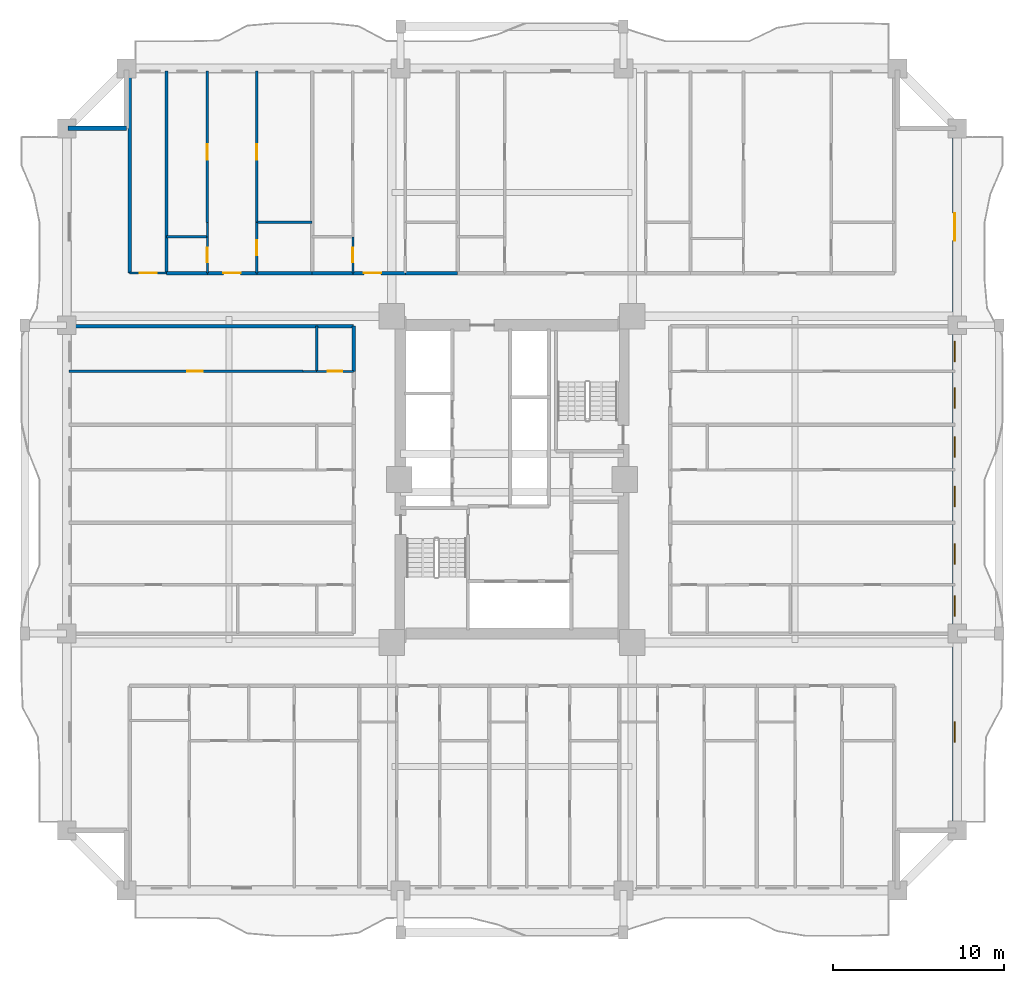
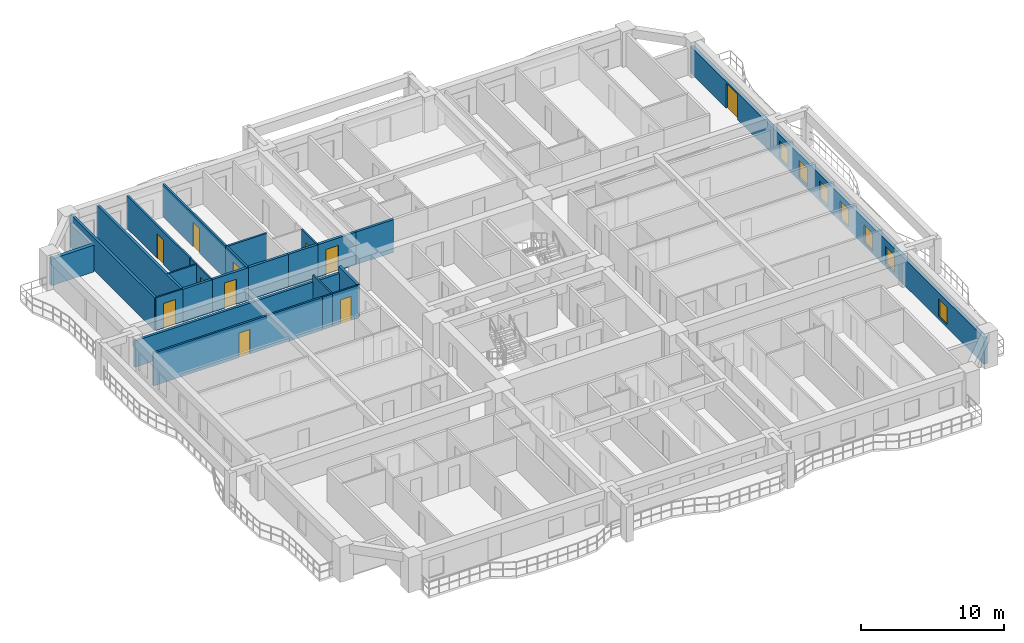
# One storey, part 7 of 16: 25 walls, 11 doors, 7 windows, 18 openings.
"""IFC4 building model written with IfcOpenShell, lengths in metres."""

from ifc_helpers import new_model, si_unit, direction, frame, frame_2d, origin, place, context, subcontext, project, spatial, rectangle, extrude, source, transform, mapped, material, layer, layer_set, type_object, element, fill, save


model = new_model("IFC4")

# Units and contexts
model_context = context("Model", 3, precision=1e-05, world=origin(), true_north=direction((0.0, 1.0)))
body_context = subcontext(model_context, "Body", "Model", "MODEL_VIEW")
ifc_project = project(units=[si_unit("LENGTHUNIT", "METRE"), si_unit("AREAUNIT", "SQUARE_METRE"), si_unit("VOLUMEUNIT", "CUBIC_METRE"), si_unit("PLANEANGLEUNIT", "RADIAN"), si_unit("MASSUNIT", "GRAM", prefix="KILO")], contexts=[model_context])

# Site, building, storey
site_placement = place(None, origin())
site = spatial("IfcSite", under=ifc_project, at=site_placement, CompositionType="ELEMENT")
building_placement = place(site_placement, origin())
building = spatial("IfcBuilding", under=site, at=building_placement, Name="Saelheon Loggia Tower", CompositionType="ELEMENT")
storey_placement = place(building_placement, frame((0.0, 0.0, 55.39990234375)))
storey = spatial("IfcBuildingStorey", under=building, at=storey_placement, Name="L17", CompositionType="ELEMENT", Elevation=55.39990234375)

# Wall, openings, windows, door
ifc_material_1 = material(Name="Architectural Precast Concrete C40/50", Category="concrete")
ifc_layer_1 = layer(ifc_material_1, 0.280029296875)
ifc_layer_set_1 = layer_set([ifc_layer_1], Name="Architectural Precast Concrete C40/50")
wall_type_1 = type_object("IfcWallType", Name="Wall_Ext_Loggia_280", PredefinedType="SOLIDWALL", material=ifc_layer_set_1)
wall_1_placement = place(storey_placement, frame((63.860107421875, 6.5, 0.0), z_axis=(0.0, 0.0, 1.0), x_axis=(0.0, 1.0, 0.0)))
wall_1 = element("IfcWall", 1, at=wall_1_placement, inside=storey, type_object=wall_type_1, Name="L17 East Loggia Inner Wall", PredefinedType="SOLIDWALL", context=body_context, shape_type="SweptSolid", body=[
    extrude(rectangle(XDim=41.0, YDim=0.280029296875, at=frame_2d((20.5, 0.0))), origin(), (0.0, 0.0, 1.0), 2.280029296875),
])
opening_1_placement = place(wall_1_placement, frame((5.14990234375, 0.0, 0.25)))
opening_1 = element("IfcOpeningElement", 2, at=opening_1_placement, cuts=wall_1, Name="Opening WN-03", PredefinedType="OPENING", context=body_context, shape_type="SweptSolid", body=[
    extrude(rectangle(XDim=1.199951171875, YDim=1.5, at=frame_2d((0.60009765625, 0.75))), frame((0.0, 0.152099609375, 0.0), z_axis=(0.0, -1.0, 0.0), x_axis=(1.0, 0.0, 0.0)), (0.0, 0.0, 1.0), 0.303955078125),
])
opening_2_placement = place(wall_1_placement, frame((12.52001953125, 0.0, 0.25)))
opening_2 = element("IfcOpeningElement", 3, at=opening_2_placement, cuts=wall_1, Name="Opening WN-03", PredefinedType="OPENING", context=body_context, shape_type="SweptSolid", body=[
    extrude(rectangle(XDim=1.199951171875, YDim=1.5, at=frame_2d((0.60009765625, 0.75))), frame((0.0, 0.152099609375, 0.0), z_axis=(0.0, -1.0, 0.0), x_axis=(1.0, 0.0, 0.0)), (0.0, 0.0, 1.0), 0.303955078125),
])
opening_3_placement = place(wall_1_placement, frame((15.555908203125, 0.0, 0.25)))
opening_3 = element("IfcOpeningElement", 4, at=opening_3_placement, cuts=wall_1, Name="Opening WN-03", PredefinedType="OPENING", context=body_context, shape_type="SweptSolid", body=[
    extrude(rectangle(XDim=1.199951171875, YDim=1.5, at=frame_2d((0.60009765625, 0.75))), frame((0.0, 0.152099609375, 0.0), z_axis=(0.0, -1.0, 0.0), x_axis=(1.0, 0.0, 0.0)), (0.0, 0.0, 1.0), 0.303955078125),
])
opening_4_placement = place(wall_1_placement, frame((18.912841796875, 0.0, 0.25)))
opening_4 = element("IfcOpeningElement", 5, at=opening_4_placement, cuts=wall_1, Name="Opening WN-03", PredefinedType="OPENING", context=body_context, shape_type="SweptSolid", body=[
    extrude(rectangle(XDim=1.199951171875, YDim=1.5, at=frame_2d((0.60009765625, 0.75))), frame((0.0, 0.152099609375, 0.0), z_axis=(0.0, -1.0, 0.0), x_axis=(1.0, 0.0, 0.0)), (0.0, 0.0, 1.0), 0.303955078125),
])
opening_5_placement = place(wall_1_placement, frame((21.784912109375, 0.0, 0.25)))
opening_5 = element("IfcOpeningElement", 6, at=opening_5_placement, cuts=wall_1, Name="Opening WN-03", PredefinedType="OPENING", context=body_context, shape_type="SweptSolid", body=[
    extrude(rectangle(XDim=1.199951171875, YDim=1.5, at=frame_2d((0.60009765625, 0.75))), frame((0.0, 0.152099609375, 0.0), z_axis=(0.0, -1.0, 0.0), x_axis=(1.0, 0.0, 0.0)), (0.0, 0.0, 1.0), 0.303955078125),
])
opening_6_placement = place(wall_1_placement, frame((24.656982421875, 0.0, 0.25)))
opening_6 = element("IfcOpeningElement", 7, at=opening_6_placement, cuts=wall_1, Name="Opening WN-03", PredefinedType="OPENING", context=body_context, shape_type="SweptSolid", body=[
    extrude(rectangle(XDim=1.199951171875, YDim=1.5, at=frame_2d((0.60009765625, 0.75))), frame((0.0, 0.152099609375, 0.0), z_axis=(0.0, -1.0, 0.0), x_axis=(1.0, 0.0, 0.0)), (0.0, 0.0, 1.0), 0.303955078125),
])
opening_7_placement = place(wall_1_placement, frame((27.35888671875, 0.0, 0.25)))
opening_7 = element("IfcOpeningElement", 8, at=opening_7_placement, cuts=wall_1, Name="Opening WN-03", PredefinedType="OPENING", context=body_context, shape_type="SweptSolid", body=[
    extrude(rectangle(XDim=1.199951171875, YDim=1.5, at=frame_2d((0.60009765625, 0.75))), frame((0.0, 0.152099609375, 0.0), z_axis=(0.0, -1.0, 0.0), x_axis=(1.0, 0.0, 0.0)), (0.0, 0.0, 1.0), 0.303955078125),
])
opening_8_placement = place(wall_1_placement, frame((36.050048828125, 0.0, 0.0), z_axis=(0.0, 0.0, 1.0), x_axis=(-1.0, 0.0, 0.0)))
opening_8 = element("IfcOpeningElement", 9, at=opening_8_placement, cuts=wall_1, Name="Opening DLG-1", PredefinedType="OPENING", context=body_context, shape_type="SweptSolid", body=[
    extrude(rectangle(XDim=1.60009765625, YDim=2.14990234375, at=frame_2d((0.800048828125, 1.074951171875))), frame((0.0, 0.152099609375, 0.0), z_axis=(0.0, -1.0, 0.0), x_axis=(1.0, 0.0, 0.0)), (0.0, 0.0, 1.0), 0.303955078125),
])
ifc_material_2 = material(Name="Thermal-Break Aluminium and Triple Low-E Glass", Category="aluminium")
window_type = type_object("IfcWindowType", Name="Win_Bedroom_1200x1500", PartitioningType="SINGLE_PANEL", PredefinedType="WINDOW", material=ifc_material_2)
shared_shape_1 = source(origin(), body_context, "Body", "SweptSolid", [
    extrude(rectangle(XDim=1.199951171875, YDim=1.5, at=frame_2d((0.60009765625, 0.75))), frame((0.0, 0.030029296875, 0.0), z_axis=(0.0, -1.0, 0.0), x_axis=(1.0, 0.0, 0.0)), (0.0, 0.0, 1.0), 0.06005859375),
])
window_1_placement = place(opening_1_placement, origin())
window_1 = element("IfcWindow", 10, at=window_1_placement, inside=storey, type_object=window_type, Name="L17 E Dwelling Window 1", OverallHeight=1.5, OverallWidth=1.199951171875, PartitioningType="SINGLE_PANEL", PredefinedType="WINDOW", context=body_context, shape_type="MappedRepresentation", body=[
    mapped(shared_shape_1, transform((0.0, 0.0, 0.0), scale=1.0)),
])
fill(opening_1, window_1)
window_2_placement = place(opening_2_placement, origin())
window_2 = element("IfcWindow", 11, at=window_2_placement, inside=storey, type_object=window_type, Name="L17 E Dwelling Window 2", OverallHeight=1.5, OverallWidth=1.199951171875, PartitioningType="SINGLE_PANEL", PredefinedType="WINDOW", context=body_context, shape_type="MappedRepresentation", body=[
    mapped(shared_shape_1, transform((0.0, 0.0, 0.0), scale=1.0)),
])
fill(opening_2, window_2)
window_3_placement = place(opening_3_placement, origin())
window_3 = element("IfcWindow", 12, at=window_3_placement, inside=storey, type_object=window_type, Name="L17 E Dwelling Window 3", OverallHeight=1.5, OverallWidth=1.199951171875, PartitioningType="SINGLE_PANEL", PredefinedType="WINDOW", context=body_context, shape_type="MappedRepresentation", body=[
    mapped(shared_shape_1, transform((0.0, 0.0, 0.0), scale=1.0)),
])
fill(opening_3, window_3)
window_4_placement = place(opening_4_placement, origin())
window_4 = element("IfcWindow", 13, at=window_4_placement, inside=storey, type_object=window_type, Name="L17 E Dwelling Window 4", OverallHeight=1.5, OverallWidth=1.199951171875, PartitioningType="SINGLE_PANEL", PredefinedType="WINDOW", context=body_context, shape_type="MappedRepresentation", body=[
    mapped(shared_shape_1, transform((0.0, 0.0, 0.0), scale=1.0)),
])
fill(opening_4, window_4)
window_5_placement = place(opening_5_placement, origin())
window_5 = element("IfcWindow", 14, at=window_5_placement, inside=storey, type_object=window_type, Name="L17 E Dwelling Window 5", OverallHeight=1.5, OverallWidth=1.199951171875, PartitioningType="SINGLE_PANEL", PredefinedType="WINDOW", context=body_context, shape_type="MappedRepresentation", body=[
    mapped(shared_shape_1, transform((0.0, 0.0, 0.0), scale=1.0)),
])
fill(opening_5, window_5)
window_6_placement = place(opening_6_placement, origin())
window_6 = element("IfcWindow", 15, at=window_6_placement, inside=storey, type_object=window_type, Name="L17 E Dwelling Window 6", OverallHeight=1.5, OverallWidth=1.199951171875, PartitioningType="SINGLE_PANEL", PredefinedType="WINDOW", context=body_context, shape_type="MappedRepresentation", body=[
    mapped(shared_shape_1, transform((0.0, 0.0, 0.0), scale=1.0)),
])
fill(opening_6, window_6)
window_7_placement = place(opening_7_placement, origin())
window_7 = element("IfcWindow", 16, at=window_7_placement, inside=storey, type_object=window_type, Name="L17 E Dwelling Window 7", OverallHeight=1.5, OverallWidth=1.199951171875, PartitioningType="SINGLE_PANEL", PredefinedType="WINDOW", context=body_context, shape_type="MappedRepresentation", body=[
    mapped(shared_shape_1, transform((0.0, 0.0, 0.0), scale=1.0)),
])
fill(opening_7, window_7)
ifc_material_3 = material(Name="Thermal-Break Aluminium Sliding Glazed Door", Category="aluminium")
door_type_1 = type_object("IfcDoorType", Name="Door_LoggiaSlide_1600", OperationType="SLIDING_TO_LEFT", PredefinedType="DOOR", material=ifc_material_3)
shared_shape_2 = source(origin(), body_context, "Body", "SweptSolid", [
    extrude(rectangle(XDim=1.60009765625, YDim=2.14990234375, at=frame_2d((0.800048828125, 1.074951171875))), frame((0.0, 0.02490234375, 0.0), z_axis=(0.0, -1.0, 0.0), x_axis=(1.0, 0.0, 0.0)), (0.0, 0.0, 1.0), 0.050048828125),
])
door_1_placement = place(opening_8_placement, origin())
door_1 = element("IfcDoor", 17, at=door_1_placement, inside=storey, type_object=door_type_1, Name="L17 E Loggia Access Door", OperationType="SLIDING_TO_LEFT", OverallHeight=2.14990234375, OverallWidth=1.60009765625, PredefinedType="DOOR", context=body_context, shape_type="MappedRepresentation", body=[
    mapped(shared_shape_2, transform((0.0, 0.0, 0.0), scale=1.0)),
])
fill(opening_8, door_1)

# Walls
wall_2_placement = place(storey_placement, frame((12.080078125, 47.5, 0.0), z_axis=(0.0, 0.0, 1.0), x_axis=(1.0, 0.0, 0.0)))
element("IfcWall", 18, at=wall_2_placement, inside=storey, type_object=wall_type_1, Name="L17 Corner Notch Precast Wall NW2", PredefinedType="SOLIDWALL", context=body_context, shape_type="SweptSolid", body=[
    extrude(rectangle(XDim=3.419921875, YDim=0.280029296875, at=frame_2d((1.7099609375, 0.0))), origin(), (0.0, 0.0, 1.0), 2.280029296875),
])
ifc_material_4 = material(Name="Lightweight Autoclaved Aerated Concrete Block and Acoustic Gypsum", Category="concrete")
ifc_layer_2 = layer(ifc_material_4, 0.14990234375)
ifc_layer_set_2 = layer_set([ifc_layer_2], Name="Lightweight Autoclaved Aerated Concrete Block and Acoustic Gypsum")
wall_type_2 = type_object("IfcWallType", Name="Wall_Part_150", PredefinedType="PARTITIONING", material=ifc_layer_set_2)
wall_3_placement = place(storey_placement, frame((23.098876953125, 42.010009765625, 0.0), z_axis=(0.0, 0.0, 1.0), x_axis=(1.0, 0.0, 0.0)))
element("IfcWall", 19, at=wall_3_placement, inside=storey, type_object=wall_type_2, Name="L17 N Partition V09", PredefinedType="PARTITIONING", context=body_context, shape_type="SweptSolid", body=[
    extrude(rectangle(XDim=3.22900390625, YDim=0.14990234375, at=frame_2d((1.614501953125, 0.0))), origin(), (0.0, 0.0, 1.0), 2.7900390625),
])

# Wall, opening, door
wall_4_placement = place(storey_placement, frame((20.20947265625, 42.010009765625, 0.0), z_axis=(0.0, 0.0, 1.0), x_axis=(0.0, 1.0, 0.0)))
wall_4 = element("IfcWall", 20, at=wall_4_placement, inside=storey, type_object=wall_type_2, Name="L17 N Partition U12", PredefinedType="PARTITIONING", context=body_context, shape_type="SweptSolid", body=[
    extrude(rectangle(XDim=8.840087890625, YDim=0.14990234375, at=frame_2d((4.419921875, 0.0))), origin(), (0.0, 0.0, 1.0), 2.7900390625),
])
opening_9_placement = place(wall_4_placement, frame((3.6591796875, 0.0, 0.0)))
opening_9 = element("IfcOpeningElement", 21, at=opening_9_placement, cuts=wall_4, Name="Opening D-IN2", PredefinedType="OPENING", context=body_context, shape_type="SweptSolid", body=[
    extrude(rectangle(XDim=0.89990234375, YDim=2.10009765625, at=frame_2d((0.449951171875, 1.050048828125))), frame((0.0, 0.0869140625, 0.0), z_axis=(0.0, -1.0, 0.0), x_axis=(1.0, 0.0, 0.0)), (0.0, 0.0, 1.0), 0.173828125),
])
ifc_material_5 = material(Name="Engineered Oak Flush Door", Category="timber")
door_type_2 = type_object("IfcDoorType", Name="Door_Int_900", OperationType="NOTDEFINED", PredefinedType="DOOR", material=ifc_material_5)
shared_shape_3 = source(origin(), body_context, "Body", "SweptSolid", [
    extrude(rectangle(XDim=0.89990234375, YDim=2.10009765625, at=frame_2d((0.449951171875, 1.050048828125))), frame((0.0, 0.02490234375, 0.0), z_axis=(0.0, -1.0, 0.0), x_axis=(1.0, 0.0, 0.0)), (0.0, 0.0, 1.0), 0.050048828125),
])
door_2_placement = place(opening_9_placement, origin())
door_2 = element("IfcDoor", 22, at=door_2_placement, inside=storey, type_object=door_type_2, Name="Unit U06 Kitchen Door", OperationType="SINGLE_SWING_LEFT", OverallHeight=2.10009765625, OverallWidth=0.89990234375, PredefinedType="DOOR", context=body_context, shape_type="MappedRepresentation", body=[
    mapped(shared_shape_3, transform((0.0, 0.0, 0.0), scale=1.0)),
])
fill(opening_9, door_2)

wall_5_placement = place(storey_placement, frame((23.098876953125, 39.050048828125, 0.0), z_axis=(0.0, 0.0, 1.0), x_axis=(0.0, 1.0, 0.0)))
wall_5 = element("IfcWall", 23, at=wall_5_placement, inside=storey, type_object=wall_type_2, Name="L17 N Partition U13", PredefinedType="PARTITIONING", context=body_context, shape_type="SweptSolid", body=[
    extrude(rectangle(XDim=2.9599609375, YDim=0.14990234375, at=frame_2d((1.47998046875, 0.0))), origin(), (0.0, 0.0, 1.0), 2.7900390625),
])
opening_10_placement = place(wall_5_placement, frame((1.030029296875, 0.0, 0.0)))
opening_10 = element("IfcOpeningElement", 24, at=opening_10_placement, cuts=wall_5, Name="Opening D-IN2", PredefinedType="OPENING", context=body_context, shape_type="SweptSolid", body=[
    extrude(rectangle(XDim=0.89990234375, YDim=2.10009765625, at=frame_2d((0.449951171875, 1.050048828125))), frame((0.0, 0.0869140625, 0.0), z_axis=(0.0, -1.0, 0.0), x_axis=(1.0, 0.0, 0.0)), (0.0, 0.0, 1.0), 0.173828125),
])
door_3_placement = place(opening_10_placement, origin())
door_3 = element("IfcDoor", 25, at=door_3_placement, inside=storey, type_object=door_type_2, Name="Unit U06 Dressing Closet Door", OperationType="SINGLE_SWING_RIGHT", OverallHeight=2.10009765625, OverallWidth=0.89990234375, PredefinedType="DOOR", context=body_context, shape_type="MappedRepresentation", body=[
    mapped(shared_shape_3, transform((0.0, 0.0, 0.0), scale=1.0)),
])
fill(opening_10, door_3)

wall_6_placement = place(storey_placement, frame((23.098876953125, 42.010009765625, 0.0), z_axis=(0.0, 0.0, 1.0), x_axis=(0.0, 1.0, 0.0)))
wall_6 = element("IfcWall", 26, at=wall_6_placement, inside=storey, type_object=wall_type_2, Name="L17 N Partition U14", PredefinedType="PARTITIONING", context=body_context, shape_type="SweptSolid", body=[
    extrude(rectangle(XDim=8.840087890625, YDim=0.14990234375, at=frame_2d((4.419921875, 0.0))), origin(), (0.0, 0.0, 1.0), 2.7900390625),
])
opening_11_placement = place(wall_6_placement, frame((3.6591796875, 0.0, 0.0)))
opening_11 = element("IfcOpeningElement", 27, at=opening_11_placement, cuts=wall_6, Name="Opening D-IN2", PredefinedType="OPENING", context=body_context, shape_type="SweptSolid", body=[
    extrude(rectangle(XDim=0.89990234375, YDim=2.10009765625, at=frame_2d((0.449951171875, 1.050048828125))), frame((0.0, 0.0869140625, 0.0), z_axis=(0.0, -1.0, 0.0), x_axis=(1.0, 0.0, 0.0)), (0.0, 0.0, 1.0), 0.173828125),
])
door_4_placement = place(opening_11_placement, origin())
door_4 = element("IfcDoor", 28, at=door_4_placement, inside=storey, type_object=door_type_2, Name="Unit U06 Bedroom 1 Door", OperationType="SINGLE_SWING_LEFT", OverallHeight=2.10009765625, OverallWidth=0.89990234375, PredefinedType="DOOR", context=body_context, shape_type="MappedRepresentation", body=[
    mapped(shared_shape_3, transform((0.0, 0.0, 0.0), scale=1.0)),
])
fill(opening_11, door_4)

wall_7_placement = place(storey_placement, frame((25.7900390625, 33.307861328125, 0.0), z_axis=(0.0, 0.0, 1.0), x_axis=(-1.0, 0.0, 0.0)))
wall_7 = element("IfcWall", 29, at=wall_7_placement, inside=storey, type_object=wall_type_2, Name="L17 W Partition U24", PredefinedType="PARTITIONING", context=body_context, shape_type="SweptSolid", body=[
    extrude(rectangle(XDim=13.64013671875, YDim=0.14990234375, at=frame_2d((6.820068359375, 0.0))), origin(), (0.0, 0.0, 1.0), 2.7900390625),
])
opening_12_placement = place(wall_7_placement, frame((5.859130859375, 0.0, 0.0)))
opening_12 = element("IfcOpeningElement", 30, at=opening_12_placement, cuts=wall_7, Name="Opening D-IN2", PredefinedType="OPENING", context=body_context, shape_type="SweptSolid", body=[
    extrude(rectangle(XDim=0.89990234375, YDim=2.10009765625, at=frame_2d((0.449951171875, 1.050048828125))), frame((0.0, 0.0869140625, 0.0), z_axis=(0.0, -1.0, 0.0), x_axis=(1.0, 0.0, 0.0)), (0.0, 0.0, 1.0), 0.173828125),
])
door_5_placement = place(opening_12_placement, origin())
door_5 = element("IfcDoor", 31, at=door_5_placement, inside=storey, type_object=door_type_2, Name="Unit U12 Kitchen Door", OperationType="SINGLE_SWING_RIGHT", OverallHeight=2.10009765625, OverallWidth=0.89990234375, PredefinedType="DOOR", context=body_context, shape_type="MappedRepresentation", body=[
    mapped(shared_shape_3, transform((0.0, 0.0, 0.0), scale=1.0)),
])
fill(opening_12, door_5)

# Walls
ifc_material_6 = material(Name="Double Acoustic Stud and Fireboard Partition", Category="gypsum")
ifc_layer_3 = layer(ifc_material_6, 0.199951171875)
ifc_layer_set_3 = layer_set([ifc_layer_3], Name="Double Acoustic Stud and Fireboard Partition")
wall_type_3 = type_object("IfcWallType", Name="Wall_Party_200", PredefinedType="PARTITIONING", material=ifc_layer_set_3)
for number, where, z_axis, x_axis, name in (
    (32, (15.679931640625, 39.050048828125, 0.0), (0.0, 0.0, 1.0), (0.0, 1.0, 0.0), "L17 N Partition U01"),
    (33, (17.830078125, 39.050048828125, 0.0), (0.0, 0.0, 1.0), (0.0, 1.0, 0.0), "L17 N Partition U03"),
):
    element("IfcWall", number, at=place(storey_placement, frame(where, z_axis=z_axis, x_axis=x_axis)), inside=storey, type_object=wall_type_3, Name=name, PredefinedType="PARTITIONING", context=body_context, shape_type="SweptSolid", body=[
        extrude(rectangle(XDim=11.800048828125, YDim=0.199951171875, at=frame_2d((5.89990234375, 0.0))), origin(), (0.0, 0.0, 1.0), 2.7900390625),
    ])
wall_8_placement = place(storey_placement, frame((17.830078125, 39.050048828125, 0.0), z_axis=(0.0, 0.0, 1.0), x_axis=(1.0, 0.0, 0.0)))
element("IfcWall", 34, at=wall_8_placement, inside=storey, type_object=wall_type_3, Name="L17 N Partition V05", PredefinedType="PARTITIONING", context=body_context, shape_type="SweptSolid", body=[
    extrude(rectangle(XDim=2.37939453125, YDim=0.199951171875, at=frame_2d((1.189697265625, 0.0))), origin(), (0.0, 0.0, 1.0), 2.7900390625),
])

# Wall, opening, door
wall_9_placement = place(storey_placement, frame((20.20947265625, 39.050048828125, 0.0), z_axis=(0.0, 0.0, 1.0), x_axis=(1.0, 0.0, 0.0)))
wall_9 = element("IfcWall", 35, at=wall_9_placement, inside=storey, type_object=wall_type_3, Name="L17 N Partition V06", PredefinedType="PARTITIONING", context=body_context, shape_type="SweptSolid", body=[
    extrude(rectangle(XDim=2.889404296875, YDim=0.199951171875, at=frame_2d((1.44482421875, 0.0))), origin(), (0.0, 0.0, 1.0), 2.7900390625),
])
opening_13_placement = place(wall_9_placement, frame((0.944580078125, 0.0, 0.0)))
opening_13 = element("IfcOpeningElement", 36, at=opening_13_placement, cuts=wall_9, Name="Opening D-FD1", PredefinedType="OPENING", context=body_context, shape_type="SweptSolid", body=[
    extrude(rectangle(XDim=1.0, YDim=2.14990234375, at=frame_2d((0.5, 1.074951171875))), frame((0.0, 0.112060546875, 0.0), z_axis=(0.0, -1.0, 0.0), x_axis=(1.0, 0.0, 0.0)), (0.0, 0.0, 1.0), 0.223876953125),
])
ifc_material_7 = material(Name="Fire-Rated Engineered Timber Entrance Door", Category="wood")
door_type_3 = type_object("IfcDoorType", Name="Door_Flat_FD30S", OperationType="NOTDEFINED", PredefinedType="DOOR", material=ifc_material_7)
shared_shape_4 = source(origin(), body_context, "Body", "SweptSolid", [
    extrude(rectangle(XDim=1.0, YDim=2.14990234375, at=frame_2d((0.5, 1.074951171875))), frame((0.0, 0.02490234375, 0.0), z_axis=(0.0, -1.0, 0.0), x_axis=(1.0, 0.0, 0.0)), (0.0, 0.0, 1.0), 0.050048828125),
])
door_6_placement = place(opening_13_placement, origin())
door_6 = element("IfcDoor", 37, at=door_6_placement, inside=storey, type_object=door_type_3, Name="Unit U06 Entrance Door", OperationType="SINGLE_SWING_LEFT", OverallHeight=2.14990234375, OverallWidth=1.0, PredefinedType="DOOR", context=body_context, shape_type="MappedRepresentation", body=[
    mapped(shared_shape_4, transform((0.0, 0.0, 0.0), scale=1.0)),
])
fill(opening_13, door_6)

# Walls
wall_10_placement = place(storey_placement, frame((23.098876953125, 39.050048828125, 0.0), z_axis=(0.0, 0.0, 1.0), x_axis=(1.0, 0.0, 0.0)))
element("IfcWall", 38, at=wall_10_placement, inside=storey, type_object=wall_type_3, Name="L17 N Partition V07", PredefinedType="PARTITIONING", context=body_context, shape_type="SweptSolid", body=[
    extrude(rectangle(XDim=3.22900390625, YDim=0.199951171875, at=frame_2d((1.614501953125, 0.0))), origin(), (0.0, 0.0, 1.0), 2.7900390625),
])
wall_11_placement = place(storey_placement, frame((26.327880859375, 39.050048828125, 0.0), z_axis=(0.0, 0.0, 1.0), x_axis=(1.0, 0.0, 0.0)))
element("IfcWall", 39, at=wall_11_placement, inside=storey, type_object=wall_type_3, Name="L17 N Partition V16", PredefinedType="PARTITIONING", context=body_context, shape_type="SweptSolid", body=[
    extrude(rectangle(XDim=2.379638671875, YDim=0.199951171875, at=frame_2d((1.18994140625, 0.0))), origin(), (0.0, 0.0, 1.0), 2.7900390625),
])

# Wall, opening, door
wall_12_placement = place(storey_placement, frame((28.70751953125, 39.050048828125, 0.0), z_axis=(0.0, 0.0, 1.0), x_axis=(1.0, 0.0, 0.0)))
wall_12 = element("IfcWall", 40, at=wall_12_placement, inside=storey, type_object=wall_type_3, Name="L17 N Partition V17", PredefinedType="PARTITIONING", context=body_context, shape_type="SweptSolid", body=[
    extrude(rectangle(XDim=3.072509765625, YDim=0.199951171875, at=frame_2d((1.5361328125, 0.0))), origin(), (0.0, 0.0, 1.0), 2.7900390625),
])
opening_14_placement = place(wall_12_placement, frame((0.648193359375, 0.0, 0.0)))
opening_14 = element("IfcOpeningElement", 41, at=opening_14_placement, cuts=wall_12, Name="Opening D-FD1", PredefinedType="OPENING", context=body_context, shape_type="SweptSolid", body=[
    extrude(rectangle(XDim=1.0, YDim=2.14990234375, at=frame_2d((0.5, 1.074951171875))), frame((0.0, 0.112060546875, 0.0), z_axis=(0.0, -1.0, 0.0), x_axis=(1.0, 0.0, 0.0)), (0.0, 0.0, 1.0), 0.223876953125),
])
door_7_placement = place(opening_14_placement, origin())
door_7 = element("IfcDoor", 42, at=door_7_placement, inside=storey, type_object=door_type_3, Name="Unit U07 Entrance Door", OperationType="SINGLE_SWING_RIGHT", OverallHeight=2.14990234375, OverallWidth=1.0, PredefinedType="DOOR", context=body_context, shape_type="MappedRepresentation", body=[
    mapped(shared_shape_4, transform((0.0, 0.0, 0.0), scale=1.0)),
])
fill(opening_14, door_7)

# Walls
wall_13_placement = place(storey_placement, frame((31.780029296875, 39.050048828125, 0.0), z_axis=(0.0, 0.0, 1.0), x_axis=(1.0, 0.0, 0.0)))
element("IfcWall", 43, at=wall_13_placement, inside=storey, type_object=wall_type_3, Name="L17 N Partition V18", PredefinedType="PARTITIONING", context=body_context, shape_type="SweptSolid", body=[
    extrude(rectangle(XDim=3.0458984375, YDim=0.199951171875, at=frame_2d((1.52294921875, 0.0))), origin(), (0.0, 0.0, 1.0), 2.7900390625),
])
wall_14_placement = place(storey_placement, frame((28.75, 35.949951171875, 0.0), z_axis=(0.0, 0.0, 1.0), x_axis=(-1.0, 0.0, 0.0)))
element("IfcWall", 44, at=wall_14_placement, inside=storey, type_object=wall_type_3, Name="L17 W Partition U02", PredefinedType="PARTITIONING", context=body_context, shape_type="SweptSolid", body=[
    extrude(rectangle(XDim=16.60009765625, YDim=0.199951171875, at=frame_2d((8.300048828125, 0.0))), origin(), (0.0, 0.0, 1.0), 2.239990234375),
])
wall_15_placement = place(storey_placement, frame((28.75, 33.307861328125, 0.0), z_axis=(0.0, 0.0, 1.0), x_axis=(0.0, 1.0, 0.0)))
element("IfcWall", 45, at=wall_15_placement, inside=storey, type_object=wall_type_3, Name="L17 W Partition V20", PredefinedType="PARTITIONING", context=body_context, shape_type="SweptSolid", body=[
    extrude(rectangle(XDim=2.64208984375, YDim=0.199951171875, at=frame_2d((1.321044921875, 0.0))), origin(), (0.0, 0.0, 1.0), 2.7900390625),
])

# Wall, opening, door
ifc_material_8 = material(Name="Moisture-Resistant Cement Board Partition", Category="gypsum")
ifc_layer_4 = layer(ifc_material_8, 0.1201171875)
ifc_layer_set_4 = layer_set([ifc_layer_4], Name="Moisture-Resistant Cement Board Partition")
wall_type_4 = type_object("IfcWallType", Name="Wall_WetPart_120", PredefinedType="PARTITIONING", material=ifc_layer_set_4)
wall_16_placement = place(storey_placement, frame((15.679931640625, 39.050048828125, 0.0), z_axis=(0.0, 0.0, 1.0), x_axis=(1.0, 0.0, 0.0)))
wall_16 = element("IfcWall", 46, at=wall_16_placement, inside=storey, type_object=wall_type_4, Name="L17 N Partition V04", PredefinedType="PARTITIONING", context=body_context, shape_type="SweptSolid", body=[
    extrude(rectangle(XDim=2.150146484375, YDim=0.1201171875, at=frame_2d((1.0751953125, 0.0))), origin(), (0.0, 0.0, 1.0), 2.7900390625),
])
opening_15_placement = place(wall_16_placement, frame((0.574951171875, 0.0, 0.0)))
opening_15 = element("IfcOpeningElement", 47, at=opening_15_placement, cuts=wall_16, Name="Opening D-AC1", PredefinedType="OPENING", context=body_context, shape_type="SweptSolid", body=[
    extrude(rectangle(XDim=1.0, YDim=2.10009765625, at=frame_2d((0.5, 1.050048828125))), frame((0.0, 0.072021484375, 0.0), z_axis=(0.0, -1.0, 0.0), x_axis=(1.0, 0.0, 0.0)), (0.0, 0.0, 1.0), 0.14404296875),
])
ifc_material_9 = material(Name="Accessible Laminate Flush Door", Category="timber")
door_type_4 = type_object("IfcDoorType", Name="Door_Acc_1000", OperationType="NOTDEFINED", PredefinedType="DOOR", material=ifc_material_9)
shared_shape_5 = source(origin(), body_context, "Body", "SweptSolid", [
    extrude(rectangle(XDim=1.0, YDim=2.10009765625, at=frame_2d((0.5, 1.050048828125))), frame((0.0, 0.02490234375, 0.0), z_axis=(0.0, -1.0, 0.0), x_axis=(1.0, 0.0, 0.0)), (0.0, 0.0, 1.0), 0.050048828125),
])
door_8_placement = place(opening_15_placement, origin())
door_8 = element("IfcDoor", 48, at=door_8_placement, inside=storey, type_object=door_type_4, Name="L17 Floor Accessible WC Door", OperationType="SINGLE_SWING_RIGHT", OverallHeight=2.10009765625, OverallWidth=1.0, PredefinedType="DOOR", context=body_context, shape_type="MappedRepresentation", body=[
    mapped(shared_shape_5, transform((0.0, 0.0, 0.0), scale=1.0)),
])
fill(opening_15, door_8)

# Wall
wall_17_placement = place(storey_placement, frame((17.830078125, 41.169921875, 0.0), z_axis=(0.0, 0.0, 1.0), x_axis=(1.0, 0.0, 0.0)))
element("IfcWall", 49, at=wall_17_placement, inside=storey, type_object=wall_type_4, Name="L17 N Partition V08", PredefinedType="PARTITIONING", context=body_context, shape_type="SweptSolid", body=[
    extrude(rectangle(XDim=2.37939453125, YDim=0.1201171875, at=frame_2d((1.189697265625, 0.0))), origin(), (0.0, 0.0, 1.0), 2.7900390625),
])

# Wall, opening, door
wall_18_placement = place(storey_placement, frame((20.20947265625, 39.050048828125, 0.0), z_axis=(0.0, 0.0, 1.0), x_axis=(0.0, 1.0, 0.0)))
wall_18 = element("IfcWall", 50, at=wall_18_placement, inside=storey, type_object=wall_type_4, Name="L17 N Partition U10", PredefinedType="PARTITIONING", context=body_context, shape_type="SweptSolid", body=[
    extrude(rectangle(XDim=2.119873046875, YDim=0.1201171875, at=frame_2d((1.06005859375, 0.0))), origin(), (0.0, 0.0, 1.0), 2.7900390625),
])
opening_16_placement = place(wall_18_placement, frame((0.635009765625, 0.0, 0.0)))
opening_16 = element("IfcOpeningElement", 51, at=opening_16_placement, cuts=wall_18, Name="Opening D-BT1", PredefinedType="OPENING", context=body_context, shape_type="SweptSolid", body=[
    extrude(rectangle(XDim=0.85009765625, YDim=2.050048828125, at=frame_2d((0.425048828125, 1.02490234375))), frame((0.0, 0.072021484375, 0.0), z_axis=(0.0, -1.0, 0.0), x_axis=(1.0, 0.0, 0.0)), (0.0, 0.0, 1.0), 0.14404296875),
])
ifc_material_10 = material(Name="Moisture-Resistant Laminate Timber Door", Category="wood")
door_type_5 = type_object("IfcDoorType", Name="Door_Bath_850", OperationType="NOTDEFINED", PredefinedType="DOOR", material=ifc_material_10)
shared_shape_6 = source(origin(), body_context, "Body", "SweptSolid", [
    extrude(rectangle(XDim=0.85009765625, YDim=2.050048828125, at=frame_2d((0.425048828125, 1.02490234375))), frame((0.0, 0.02490234375, 0.0), z_axis=(0.0, -1.0, 0.0), x_axis=(1.0, 0.0, 0.0)), (0.0, 0.0, 1.0), 0.050048828125),
])
door_9_placement = place(opening_16_placement, origin())
door_9 = element("IfcDoor", 52, at=door_9_placement, inside=storey, type_object=door_type_5, Name="Unit U06 Bathroom Door", OperationType="SINGLE_SWING_RIGHT", OverallHeight=2.050048828125, OverallWidth=0.85009765625, PredefinedType="DOOR", context=body_context, shape_type="MappedRepresentation", body=[
    mapped(shared_shape_6, transform((0.0, 0.0, 0.0), scale=1.0)),
])
fill(opening_16, door_9)

# Wall
wall_19_placement = place(storey_placement, frame((20.20947265625, 41.169921875, 0.0), z_axis=(0.0, 0.0, 1.0), x_axis=(0.0, 1.0, 0.0)))
element("IfcWall", 53, at=wall_19_placement, inside=storey, type_object=wall_type_4, Name="L17 N Partition U11", PredefinedType="PARTITIONING", context=body_context, shape_type="SweptSolid", body=[
    extrude(rectangle(XDim=0.840087890625, YDim=0.1201171875, at=frame_2d((0.419921875, 0.0))), origin(), (0.0, 0.0, 1.0), 2.7900390625),
])

# Wall, opening, door
wall_20_placement = place(storey_placement, frame((28.70751953125, 39.050048828125, 0.0), z_axis=(0.0, 0.0, 1.0), x_axis=(0.0, 1.0, 0.0)))
wall_20 = element("IfcWall", 54, at=wall_20_placement, inside=storey, type_object=wall_type_4, Name="L17 N Partition U21", PredefinedType="PARTITIONING", context=body_context, shape_type="SweptSolid", body=[
    extrude(rectangle(XDim=2.119873046875, YDim=0.1201171875, at=frame_2d((1.06005859375, 0.0))), origin(), (0.0, 0.0, 1.0), 2.7900390625),
])
opening_17_placement = place(wall_20_placement, frame((0.635009765625, 0.0, 0.0)))
opening_17 = element("IfcOpeningElement", 55, at=opening_17_placement, cuts=wall_20, Name="Opening D-BT1", PredefinedType="OPENING", context=body_context, shape_type="SweptSolid", body=[
    extrude(rectangle(XDim=0.85009765625, YDim=2.050048828125, at=frame_2d((0.425048828125, 1.02490234375))), frame((0.0, 0.072021484375, 0.0), z_axis=(0.0, -1.0, 0.0), x_axis=(1.0, 0.0, 0.0)), (0.0, 0.0, 1.0), 0.14404296875),
])
door_10_placement = place(opening_17_placement, origin())
door_10 = element("IfcDoor", 56, at=door_10_placement, inside=storey, type_object=door_type_5, Name="Unit U07 Bathroom Door", OperationType="SINGLE_SWING_LEFT", OverallHeight=2.050048828125, OverallWidth=0.85009765625, PredefinedType="DOOR", context=body_context, shape_type="MappedRepresentation", body=[
    mapped(shared_shape_6, transform((0.0, 0.0, 0.0), scale=1.0)),
])
fill(opening_17, door_10)

wall_21_placement = place(storey_placement, frame((28.75, 33.307861328125, 0.0), z_axis=(0.0, 0.0, 1.0), x_axis=(-1.0, 0.0, 0.0)))
wall_21 = element("IfcWall", 57, at=wall_21_placement, inside=storey, type_object=wall_type_4, Name="L17 W Partition U21", PredefinedType="PARTITIONING", context=body_context, shape_type="SweptSolid", body=[
    extrude(rectangle(XDim=2.14990234375, YDim=0.1201171875, at=frame_2d((1.074951171875, 0.0))), origin(), (0.0, 0.0, 1.0), 2.7900390625),
])
opening_18_placement = place(wall_21_placement, frame((0.64990234375, 0.0, 0.0)))
opening_18 = element("IfcOpeningElement", 58, at=opening_18_placement, cuts=wall_21, Name="Opening D-BT1", PredefinedType="OPENING", context=body_context, shape_type="SweptSolid", body=[
    extrude(rectangle(XDim=0.85009765625, YDim=2.050048828125, at=frame_2d((0.425048828125, 1.02490234375))), frame((0.0, 0.072021484375, 0.0), z_axis=(0.0, -1.0, 0.0), x_axis=(1.0, 0.0, 0.0)), (0.0, 0.0, 1.0), 0.14404296875),
])
door_11_placement = place(opening_18_placement, origin())
door_11 = element("IfcDoor", 59, at=door_11_placement, inside=storey, type_object=door_type_5, Name="Unit U12 Bathroom Door", OperationType="SINGLE_SWING_LEFT", OverallHeight=2.050048828125, OverallWidth=0.85009765625, PredefinedType="DOOR", context=body_context, shape_type="MappedRepresentation", body=[
    mapped(shared_shape_6, transform((0.0, 0.0, 0.0), scale=1.0)),
])
fill(opening_18, door_11)

# Walls
wall_22_placement = place(storey_placement, frame((26.60009765625, 33.307861328125, 0.0), z_axis=(0.0, 0.0, 1.0), x_axis=(-1.0, 0.0, 0.0)))
element("IfcWall", 60, at=wall_22_placement, inside=storey, type_object=wall_type_4, Name="L17 W Partition U22", PredefinedType="PARTITIONING", context=body_context, shape_type="SweptSolid", body=[
    extrude(rectangle(XDim=0.81005859375, YDim=0.1201171875, at=frame_2d((0.405029296875, 0.0))), origin(), (0.0, 0.0, 1.0), 2.7900390625),
])
wall_23_placement = place(storey_placement, frame((26.60009765625, 33.307861328125, 0.0), z_axis=(0.0, 0.0, 1.0), x_axis=(0.0, 1.0, 0.0)))
element("IfcWall", 61, at=wall_23_placement, inside=storey, type_object=wall_type_4, Name="L17 W Partition V23", PredefinedType="PARTITIONING", context=body_context, shape_type="SweptSolid", body=[
    extrude(rectangle(XDim=2.64208984375, YDim=0.1201171875, at=frame_2d((1.321044921875, 0.0))), origin(), (0.0, 0.0, 1.0), 2.7900390625),
])

save(model, "model.ifc")
